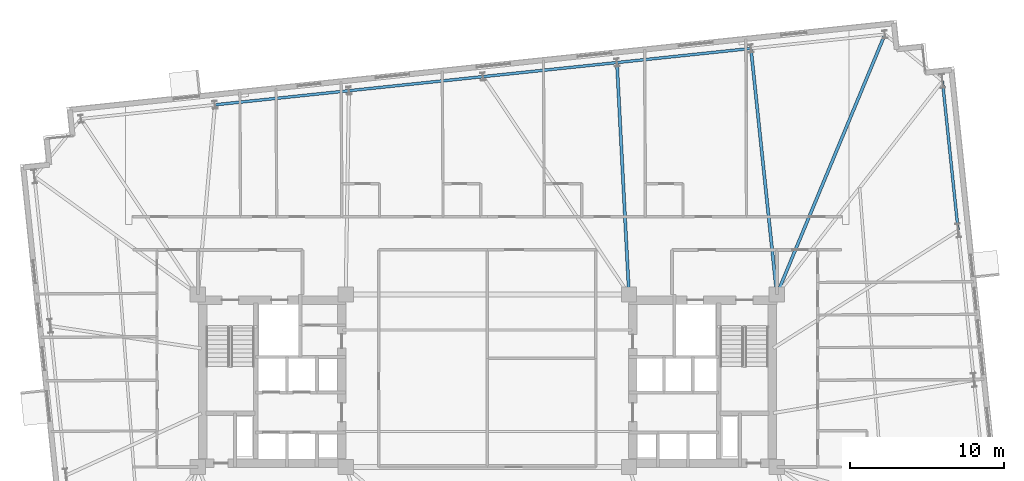
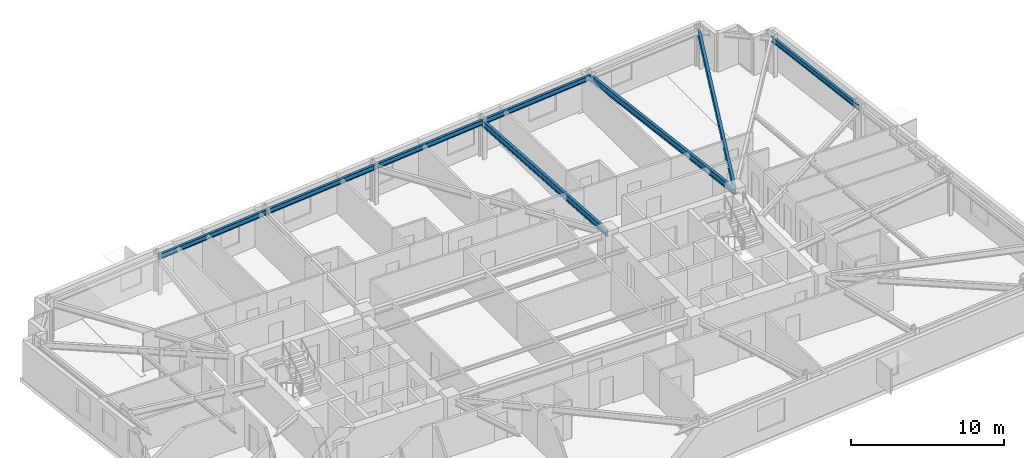
# One storey, part 9 of 19: 8 beams.
"""IFC4 building model written with IfcOpenShell, lengths in metres."""

from ifc_helpers import new_model, si_unit, direction, frame, origin, origin_2d, place, context, subcontext, project, spatial, i_section, extrude, material, material_profile, profile_set, type_object, element, save


model = new_model("IFC4")

# Units and contexts
model_context = context("Model", 3, precision=1e-05, world=origin(), true_north=direction((0.0, 1.0)))
body_context = subcontext(model_context, "Body", "Model", "MODEL_VIEW")
ifc_project = project(units=[si_unit("LENGTHUNIT", "METRE"), si_unit("AREAUNIT", "SQUARE_METRE"), si_unit("VOLUMEUNIT", "CUBIC_METRE"), si_unit("PLANEANGLEUNIT", "RADIAN"), si_unit("MASSUNIT", "GRAM", prefix="KILO")], contexts=[model_context])

# Site, building, storey
site_placement = place(None, origin())
site = spatial("IfcSite", under=ifc_project, at=site_placement, CompositionType="ELEMENT")
building_placement = place(site_placement, origin())
building = spatial("IfcBuilding", under=site, at=building_placement, Name="Qobustan Lattice House", CompositionType="ELEMENT")
storey_placement = place(building_placement, frame((0.0, 0.0, 82.35009765625)))
storey = spatial("IfcBuildingStorey", under=building, at=storey_placement, Name="L22", CompositionType="ELEMENT", Elevation=82.35009765625)

# Beams
ifc_material_1 = material(Name="Steel S355", Category="steel")
ifc_material_profile_1 = material_profile(ifc_material_1, i_section(OverallWidth=0.199951171875, OverallDepth=0.5, WebThickness=0.01025390625, FlangeThickness=0.01611328125, FilletRadius=0.02099609375, at=origin_2d()), Name="IPE500")
ifc_profile_set_1 = profile_set([ifc_material_profile_1], Name="Steel S355")
beam_type_1 = type_object("IfcBeamType", Name="BM-FLG-IPE500", PredefinedType="USERDEFINED", material=ifc_profile_set_1)
beam_1_placement = place(storey_placement, frame((8.41650390625, 20.640625, 2.794921875), z_axis=(0.052023629628, -0.998645854125, 0.0), x_axis=(0.998645854125, 0.052023629628, 0.0)))
element("IfcBeam", 1, at=beam_1_placement, inside=storey, type_object=beam_type_1, Name="L22 primary floor girder RAD-N3", ObjectType="GIRDER", PredefinedType="USERDEFINED", context=body_context, shape_type="SweptSolid", body=[
    extrude(i_section(OverallWidth=0.199951171875, OverallDepth=0.5, WebThickness=0.01025390625, FlangeThickness=0.01611328125, FilletRadius=0.02099609375, at=origin_2d()), origin(), (0.0, 0.0, 1.0), 15.035888671875),
])
beam_2_placement = place(storey_placement, frame((17.1201171875, 21.555419921875, 2.794921875), z_axis=(0.104706999053, -0.994503114298, 0.0), x_axis=(0.994503114298, 0.104706999053, 0.0)))
element("IfcBeam", 2, at=beam_2_placement, inside=storey, type_object=beam_type_1, Name="L22 primary floor girder RAD-N2", ObjectType="GIRDER", PredefinedType="USERDEFINED", context=body_context, shape_type="SweptSolid", body=[
    extrude(i_section(OverallWidth=0.199951171875, OverallDepth=0.5, WebThickness=0.01025390625, FlangeThickness=0.01611328125, FilletRadius=0.02099609375, at=origin_2d()), origin(), (0.0, 0.0, 1.0), 16.0185546875),
])
beam_3_placement = place(storey_placement, frame((25.809814453125, 22.471923828125, 2.794921875), z_axis=(-0.383675501465, -0.923467979724, 0.0), x_axis=(0.923467979724, -0.383675501465, 0.0)))
element("IfcBeam", 3, at=beam_3_placement, inside=storey, type_object=beam_type_1, Name="L22 primary floor girder RAD-N1E", ObjectType="GIRDER", PredefinedType="USERDEFINED", context=body_context, shape_type="SweptSolid", body=[
    extrude(i_section(OverallWidth=0.199951171875, OverallDepth=0.5, WebThickness=0.01025390625, FlangeThickness=0.01611328125, FilletRadius=0.02099609375, at=origin_2d()), origin(), (0.0, 0.0, 1.0), 18.2451171875),
])
ifc_material_2 = material(Name="Steel S355", Category="steel")
ifc_material_profile_2 = material_profile(ifc_material_2, i_section(OverallWidth=0.179931640625, OverallDepth=0.39990234375, WebThickness=0.008544921875, FlangeThickness=0.013427734375, FilletRadius=0.02099609375, at=origin_2d()), Name="IPE400")
ifc_profile_set_2 = profile_set([ifc_material_profile_2], Name="Steel S355")
beam_type_2 = type_object("IfcBeamType", Name="BM-SPD-IPE400", PredefinedType="SPANDREL", material=ifc_profile_set_2)
beam_4_placement = place(storey_placement, frame((30.574462890625, 9.78076171875, 2.844970703125), z_axis=(-0.104525214252, 0.994522236848, 0.0), x_axis=(-0.994522236848, -0.104525214252, 0.0)))
element("IfcBeam", 4, at=beam_4_placement, inside=storey, type_object=beam_type_2, Name="L22 perimeter spandrel E3-E4", PredefinedType="SPANDREL", context=body_context, shape_type="SweptSolid", body=[
    extrude(i_section(OverallWidth=0.179931640625, OverallDepth=0.39990234375, WebThickness=0.008544921875, FlangeThickness=0.013427734375, FilletRadius=0.02099609375, at=origin_2d()), origin(), (0.0, 0.0, 1.0), 9.716552734375),
])
beam_5_placement = place(storey_placement, frame((17.092529296875, 21.577880859375, 2.844970703125), z_axis=(-0.994518668742, -0.104559158006, 0.0), x_axis=(0.104559158006, -0.994518668742, 0.0)))
element("IfcBeam", 5, at=beam_5_placement, inside=storey, type_object=beam_type_2, Name="L22 perimeter spandrel N2-N3", PredefinedType="SPANDREL", context=body_context, shape_type="SweptSolid", body=[
    extrude(i_section(OverallWidth=0.179931640625, OverallDepth=0.39990234375, WebThickness=0.008544921875, FlangeThickness=0.013427734375, FilletRadius=0.02099609375, at=origin_2d()), origin(), (0.0, 0.0, 1.0), 8.699951171875),
])
beam_6_placement = place(storey_placement, frame((8.390380859375, 20.6630859375, 2.844970703125), z_axis=(-0.994521279781, -0.10453432002, 0.0), x_axis=(0.10453432002, -0.994521279781, 0.0)))
element("IfcBeam", 6, at=beam_6_placement, inside=storey, type_object=beam_type_2, Name="L22 perimeter spandrel N3-N4", PredefinedType="SPANDREL", context=body_context, shape_type="SweptSolid", body=[
    extrude(i_section(OverallWidth=0.179931640625, OverallDepth=0.39990234375, WebThickness=0.008544921875, FlangeThickness=0.013427734375, FilletRadius=0.02099609375, at=origin_2d()), origin(), (0.0, 0.0, 1.0), 8.69970703125),
])
for number, where, z_axis, x_axis, name in (
    (7, (-0.3115234375, 19.74853515625, 2.844970703125), (-0.994521586424, -0.104531402636, 0.0), (0.104531402636, -0.994521586424, 0.0), "L22 perimeter spandrel N4-N5"),
    (8, (-9.013671875, 18.833984375, 2.844970703125), (-0.994521586424, -0.104531402636, 0.0), (0.104531402636, -0.994521586424, 0.0), "L22 perimeter spandrel N5-N6"),
):
    element("IfcBeam", number, at=place(storey_placement, frame(where, z_axis=z_axis, x_axis=x_axis)), inside=storey, type_object=beam_type_2, Name=name, PredefinedType="SPANDREL", context=body_context, shape_type="SweptSolid", body=[
        extrude(i_section(OverallWidth=0.179931640625, OverallDepth=0.39990234375, WebThickness=0.008544921875, FlangeThickness=0.013427734375, FilletRadius=0.02099609375, at=origin_2d()), origin(), (0.0, 0.0, 1.0), 8.699951171875),
    ])

save(model, "model.ifc")
